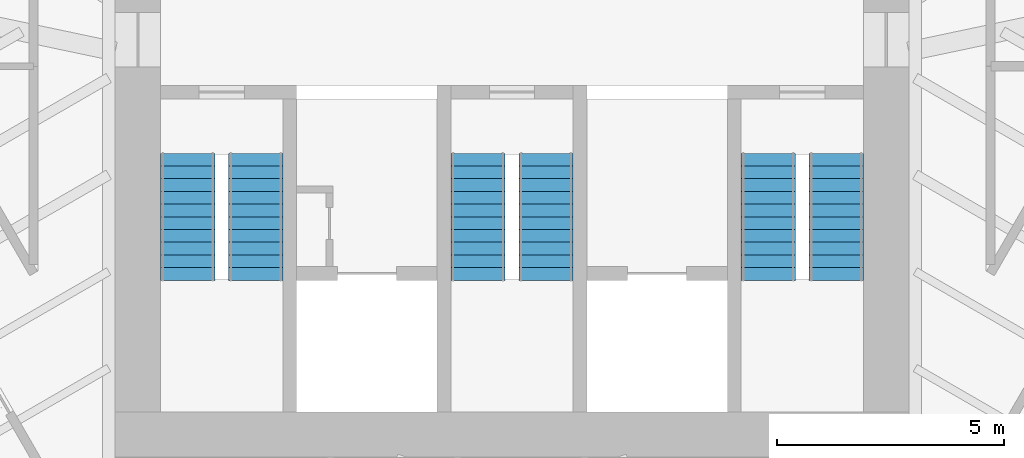
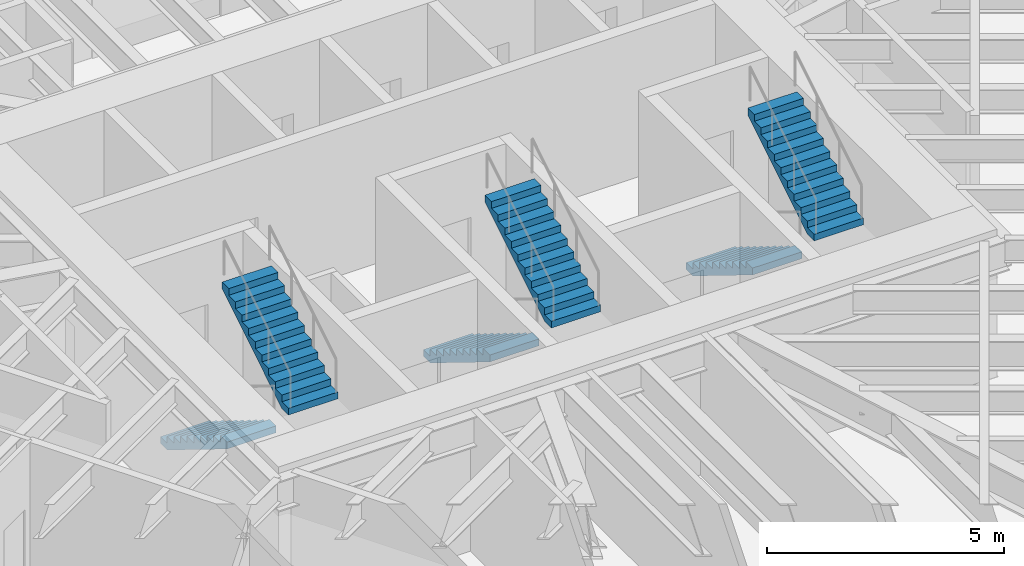
# One storey, part 16 of 17: 6 stair flights, 3 elements without a shape of their own.
"""IFC4 building model written with IfcOpenShell, lengths in metres."""

from ifc_helpers import new_model, si_unit, direction, frame, origin, place, context, subcontext, project, spatial, polyline, outline, extrude, material, type_object, element, aggregate, save


model = new_model("IFC4")

# Units and contexts
model_context = context("Model", 3, precision=1e-05, world=origin(), true_north=direction((0.0, 1.0)))
body_context = subcontext(model_context, "Body", "Model", "MODEL_VIEW")
ifc_project = project(units=[si_unit("LENGTHUNIT", "METRE"), si_unit("AREAUNIT", "SQUARE_METRE"), si_unit("VOLUMEUNIT", "CUBIC_METRE"), si_unit("PLANEANGLEUNIT", "RADIAN"), si_unit("MASSUNIT", "GRAM", prefix="KILO")], contexts=[model_context])

# Site, building, storey
site_placement = place(None, origin())
site = spatial("IfcSite", under=ifc_project, at=site_placement, CompositionType="ELEMENT")
building_placement = place(site_placement, origin())
building = spatial("IfcBuilding", under=site, at=building_placement, Name="Sandreach Pilgrim Tower", CompositionType="ELEMENT")
storey_placement = place(building_placement, frame((0.0, 0.0, 194.60009765625)))
storey = spatial("IfcBuildingStorey", under=building, at=storey_placement, Name="L48", CompositionType="ELEMENT", Elevation=194.60009765625)

# Stair, stair flights
ifc_material_1 = material(Name="Concrete 8000 psi", Category="concrete")
stair_type = type_object("IfcStairType", Name="Core exit stair", PredefinedType="HALF_TURN_STAIR", material=ifc_material_1)
stair_1_placement = place(storey_placement, origin())
stair_1 = element("IfcStair", 1, at=stair_1_placement, inside=storey, type_object=stair_type, Name="Exit stair ST1 L48", PredefinedType="HALF_TURN_STAIR")
ifc_material_2 = material(Name="Concrete 8000 psi", Category="concrete")
stair_flight_type = type_object("IfcStairFlightType", Name="Core stair flight 1200", PredefinedType="STRAIGHT", material=ifc_material_2)
stair_flight_1_placement = place(storey_placement, frame((-7.14990234375, -0.39990234375, 0.0), z_axis=(0.0, 0.0, 1.0), x_axis=(0.0, -1.0, 0.0)))
stair_flight_1 = element("IfcStairFlight", 2, at=stair_flight_1_placement, type_object=stair_flight_type, Name="ST1 flight 1", NumberOfRisers=11, NumberOfTreads=10, PredefinedType="STRAIGHT", RiserHeight=0.172727273, TreadLength=0.28, context=body_context, shape_type="SweptSolid", body=[
    extrude(outline(polyline([(0.0, 0.0), (0.0, 0.172607421875), (0.280029296875, 0.172607421875), (0.280029296875, 0.345458984375), (0.56005859375, 0.345458984375), (0.56005859375, 0.51806640625), (0.840087890625, 0.51806640625), (0.840087890625, 0.69091796875), (1.1201171875, 0.69091796875), (1.1201171875, 0.863525390625), (1.39990234375, 0.863525390625), (1.39990234375, 1.036376953125), (1.679931640625, 1.036376953125), (1.679931640625, 1.208984375), (1.9599609375, 1.208984375), (1.9599609375, 1.3818359375), (2.239990234375, 1.3818359375), (2.239990234375, 1.554443359375), (2.52001953125, 1.554443359375), (2.52001953125, 1.727294921875), (2.800048828125, 1.727294921875), (2.800048828125, 1.89990234375), (2.800048828125, 1.551025390625), (0.285400390625, 0.0), (0.0, 0.0)])), frame((0.0, 0.60009765625, 0.0), z_axis=(0.0, -1.0, 0.0), x_axis=(1.0, 0.0, 0.0)), (0.0, 0.0, 1.0), 1.199951171875),
])
stair_flight_2_placement = place(storey_placement, frame((-5.64990234375, -3.199951171875, 1.89990234375), z_axis=(0.0, 0.0, 1.0), x_axis=(0.0, 1.0, 0.0)))
stair_flight_2 = element("IfcStairFlight", 3, at=stair_flight_2_placement, type_object=stair_flight_type, Name="ST1 flight 2", NumberOfRisers=11, NumberOfTreads=10, PredefinedType="STRAIGHT", RiserHeight=0.172727273, TreadLength=0.28, context=body_context, shape_type="SweptSolid", body=[
    extrude(outline(polyline([(0.0, 0.0), (0.0, 0.172607421875), (0.280029296875, 0.172607421875), (0.280029296875, 0.345458984375), (0.56005859375, 0.345458984375), (0.56005859375, 0.51806640625), (0.840087890625, 0.51806640625), (0.840087890625, 0.69091796875), (1.1201171875, 0.69091796875), (1.1201171875, 0.863525390625), (1.39990234375, 0.863525390625), (1.39990234375, 1.036376953125), (1.679931640625, 1.036376953125), (1.679931640625, 1.208984375), (1.9599609375, 1.208984375), (1.9599609375, 1.3818359375), (2.239990234375, 1.3818359375), (2.239990234375, 1.554443359375), (2.52001953125, 1.554443359375), (2.52001953125, 1.727294921875), (2.800048828125, 1.727294921875), (2.800048828125, 1.89990234375), (2.800048828125, 1.551025390625), (0.285400390625, 0.0), (0.0, 0.0)])), frame((0.0, 0.60009765625, 0.0), z_axis=(0.0, -1.0, 0.0), x_axis=(1.0, 0.0, 0.0)), (0.0, 0.0, 1.0), 1.199951171875),
])
aggregate(stair_1, [stair_flight_1, stair_flight_2])

stair_2_placement = place(storey_placement, origin())
stair_2 = element("IfcStair", 4, at=stair_2_placement, inside=storey, type_object=stair_type, Name="Exit stair ST3 L48", PredefinedType="HALF_TURN_STAIR")
stair_flight_3_placement = place(storey_placement, frame((-0.75, -0.39990234375, 0.0), z_axis=(0.0, 0.0, 1.0), x_axis=(0.0, -1.0, 0.0)))
stair_flight_3 = element("IfcStairFlight", 5, at=stair_flight_3_placement, type_object=stair_flight_type, Name="ST3 flight 1", NumberOfRisers=11, NumberOfTreads=10, PredefinedType="STRAIGHT", RiserHeight=0.172727273, TreadLength=0.28, context=body_context, shape_type="SweptSolid", body=[
    extrude(outline(polyline([(0.0, 0.0), (0.0, 0.172607421875), (0.280029296875, 0.172607421875), (0.280029296875, 0.345458984375), (0.56005859375, 0.345458984375), (0.56005859375, 0.51806640625), (0.840087890625, 0.51806640625), (0.840087890625, 0.69091796875), (1.1201171875, 0.69091796875), (1.1201171875, 0.863525390625), (1.39990234375, 0.863525390625), (1.39990234375, 1.036376953125), (1.679931640625, 1.036376953125), (1.679931640625, 1.208984375), (1.9599609375, 1.208984375), (1.9599609375, 1.3818359375), (2.239990234375, 1.3818359375), (2.239990234375, 1.554443359375), (2.52001953125, 1.554443359375), (2.52001953125, 1.727294921875), (2.800048828125, 1.727294921875), (2.800048828125, 1.89990234375), (2.800048828125, 1.551025390625), (0.285400390625, 0.0), (0.0, 0.0)])), frame((0.0, 0.60009765625, 0.0), z_axis=(0.0, -1.0, 0.0), x_axis=(1.0, 0.0, 0.0)), (0.0, 0.0, 1.0), 1.199951171875),
])
stair_flight_4_placement = place(storey_placement, frame((0.75, -3.199951171875, 1.89990234375), z_axis=(0.0, 0.0, 1.0), x_axis=(0.0, 1.0, 0.0)))
stair_flight_4 = element("IfcStairFlight", 6, at=stair_flight_4_placement, type_object=stair_flight_type, Name="ST3 flight 2", NumberOfRisers=11, NumberOfTreads=10, PredefinedType="STRAIGHT", RiserHeight=0.172727273, TreadLength=0.28, context=body_context, shape_type="SweptSolid", body=[
    extrude(outline(polyline([(0.0, 0.0), (0.0, 0.172607421875), (0.280029296875, 0.172607421875), (0.280029296875, 0.345458984375), (0.56005859375, 0.345458984375), (0.56005859375, 0.51806640625), (0.840087890625, 0.51806640625), (0.840087890625, 0.69091796875), (1.1201171875, 0.69091796875), (1.1201171875, 0.863525390625), (1.39990234375, 0.863525390625), (1.39990234375, 1.036376953125), (1.679931640625, 1.036376953125), (1.679931640625, 1.208984375), (1.9599609375, 1.208984375), (1.9599609375, 1.3818359375), (2.239990234375, 1.3818359375), (2.239990234375, 1.554443359375), (2.52001953125, 1.554443359375), (2.52001953125, 1.727294921875), (2.800048828125, 1.727294921875), (2.800048828125, 1.89990234375), (2.800048828125, 1.551025390625), (0.285400390625, 0.0), (0.0, 0.0)])), frame((0.0, 0.60009765625, 0.0), z_axis=(0.0, -1.0, 0.0), x_axis=(1.0, 0.0, 0.0)), (0.0, 0.0, 1.0), 1.199951171875),
])
aggregate(stair_2, [stair_flight_3, stair_flight_4])

stair_3_placement = place(storey_placement, origin())
stair_3 = element("IfcStair", 7, at=stair_3_placement, inside=storey, type_object=stair_type, Name="Exit stair ST2 L48", PredefinedType="HALF_TURN_STAIR")
stair_flight_5_placement = place(storey_placement, frame((5.64990234375, -0.39990234375, 0.0), z_axis=(0.0, 0.0, 1.0), x_axis=(0.0, -1.0, 0.0)))
stair_flight_5 = element("IfcStairFlight", 8, at=stair_flight_5_placement, type_object=stair_flight_type, Name="ST2 flight 1", NumberOfRisers=11, NumberOfTreads=10, PredefinedType="STRAIGHT", RiserHeight=0.172727273, TreadLength=0.28, context=body_context, shape_type="SweptSolid", body=[
    extrude(outline(polyline([(0.0, 0.0), (0.0, 0.172607421875), (0.280029296875, 0.172607421875), (0.280029296875, 0.345458984375), (0.56005859375, 0.345458984375), (0.56005859375, 0.51806640625), (0.840087890625, 0.51806640625), (0.840087890625, 0.69091796875), (1.1201171875, 0.69091796875), (1.1201171875, 0.863525390625), (1.39990234375, 0.863525390625), (1.39990234375, 1.036376953125), (1.679931640625, 1.036376953125), (1.679931640625, 1.208984375), (1.9599609375, 1.208984375), (1.9599609375, 1.3818359375), (2.239990234375, 1.3818359375), (2.239990234375, 1.554443359375), (2.52001953125, 1.554443359375), (2.52001953125, 1.727294921875), (2.800048828125, 1.727294921875), (2.800048828125, 1.89990234375), (2.800048828125, 1.551025390625), (0.285400390625, 0.0), (0.0, 0.0)])), frame((0.0, 0.60009765625, 0.0), z_axis=(0.0, -1.0, 0.0), x_axis=(1.0, 0.0, 0.0)), (0.0, 0.0, 1.0), 1.199951171875),
])
stair_flight_6_placement = place(storey_placement, frame((7.14990234375, -3.199951171875, 1.89990234375), z_axis=(0.0, 0.0, 1.0), x_axis=(0.0, 1.0, 0.0)))
stair_flight_6 = element("IfcStairFlight", 9, at=stair_flight_6_placement, type_object=stair_flight_type, Name="ST2 flight 2", NumberOfRisers=11, NumberOfTreads=10, PredefinedType="STRAIGHT", RiserHeight=0.172727273, TreadLength=0.28, context=body_context, shape_type="SweptSolid", body=[
    extrude(outline(polyline([(0.0, 0.0), (0.0, 0.172607421875), (0.280029296875, 0.172607421875), (0.280029296875, 0.345458984375), (0.56005859375, 0.345458984375), (0.56005859375, 0.51806640625), (0.840087890625, 0.51806640625), (0.840087890625, 0.69091796875), (1.1201171875, 0.69091796875), (1.1201171875, 0.863525390625), (1.39990234375, 0.863525390625), (1.39990234375, 1.036376953125), (1.679931640625, 1.036376953125), (1.679931640625, 1.208984375), (1.9599609375, 1.208984375), (1.9599609375, 1.3818359375), (2.239990234375, 1.3818359375), (2.239990234375, 1.554443359375), (2.52001953125, 1.554443359375), (2.52001953125, 1.727294921875), (2.800048828125, 1.727294921875), (2.800048828125, 1.89990234375), (2.800048828125, 1.551025390625), (0.285400390625, 0.0), (0.0, 0.0)])), frame((0.0, 0.60009765625, 0.0), z_axis=(0.0, -1.0, 0.0), x_axis=(1.0, 0.0, 0.0)), (0.0, 0.0, 1.0), 1.199951171875),
])
aggregate(stair_3, [stair_flight_5, stair_flight_6])

save(model, "model.ifc")
